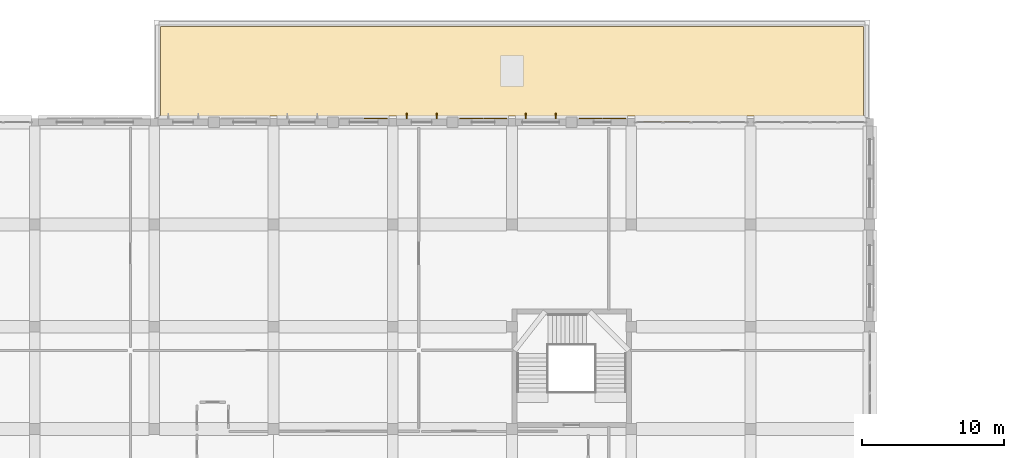
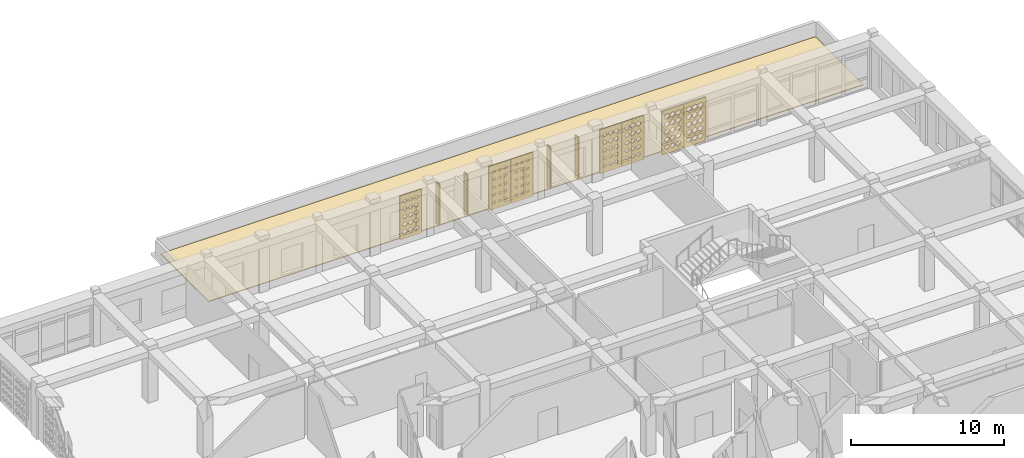
# One storey, part 103 of 111: 8 coverings, 4 shading devices.
"""IFC4 building model written with IfcOpenShell, lengths in metres."""

from ifc_helpers import new_model, si_unit, derived_unit, direction, frame, origin, origin_2d, place, context, subcontext, project, spatial, polyline, rectangle, outline, extrude, material, layer, layer_set, type_object, element, save


model = new_model("IFC4")

# Units and contexts
model_context = context("Model", 3, precision=1e-05, world=origin(), true_north=direction((0.0, 1.0)))
body_context = subcontext(model_context, "Body", "Model", "MODEL_VIEW")
ifc_project = project(units=[si_unit("LENGTHUNIT", "METRE"), si_unit("AREAUNIT", "SQUARE_METRE"), si_unit("VOLUMEUNIT", "CUBIC_METRE"), si_unit("PLANEANGLEUNIT", "RADIAN"), si_unit("MASSUNIT", "GRAM", prefix="KILO"), derived_unit("THERMALTRANSMITTANCEUNIT", [(si_unit("POWERUNIT", "WATT"), 1), (si_unit("LENGTHUNIT", "METRE"), -2), (si_unit("THERMODYNAMICTEMPERATUREUNIT", "KELVIN"), -1)])], contexts=[model_context])

# Site, building, storey
site_placement = place(None, origin())
site = spatial("IfcSite", under=ifc_project, at=site_placement, CompositionType="ELEMENT")
building_placement = place(site_placement, origin())
building = spatial("IfcBuilding", under=site, at=building_placement, Name="Veybourne Emporium", CompositionType="ELEMENT")
storey_placement = place(building_placement, frame((0.0, 0.0, 9.89990234375)))
storey = spatial("IfcBuildingStorey", under=building, at=storey_placement, Name="L02", CompositionType="ELEMENT", Elevation=9.89990234375)

# Covering
ifc_material_1 = material(Name="Single-Ply Warm Roof Membrane", Category="membrane")
ifc_layer_1 = layer(ifc_material_1, 0.06005859375)
ifc_layer_set_1 = layer_set([ifc_layer_1], Name="Single-Ply Warm Roof Membrane")
covering_type_1 = type_object("IfcCoveringType", Name="Roofing_RFG-01", PredefinedType="ROOFING", material=ifc_layer_set_1)
covering_1_placement = place(storey_placement, origin())
element("IfcCovering", 1, at=covering_1_placement, inside=storey, type_object=covering_type_1, Name="L02 warm-roof waterproofing membrane 2.1", PredefinedType="ROOFING", context=body_context, shape_type="SweptSolid", body=[
    extrude(outline(polyline([(100.35009765625, 114.75), (100.35009765625, 108.449951171875), (50.85009765625, 108.449951171875), (50.85009765625, 114.75), (100.35009765625, 114.75)])), origin(), (0.0, 0.0, 1.0), 0.06005859375),
])

# Shading devices
ifc_material_2 = material(Name="Patinated Architectural Bronze", Category="bronze")
shading_device_type = type_object("IfcShadingDeviceType", Name="SolarFin_FIN-01", PredefinedType="USERDEFINED", material=ifc_material_2)
for number, where, z_axis, x_axis, name in (
    (2, (68.179931640625, 108.428955078125, 0.125244140625), (0.0, 0.0, 1.0), (1.0, 0.0, 0.0), "L02 bronze brise-soleil fin FIN-01 (38A.1)"),
    (3, (70.294921875, 108.428955078125, 0.125244140625), (0.0, 0.0, 1.0), (1.0, 0.0, 0.0), "L02 bronze brise-soleil fin FIN-01 (38A.2)"),
    (4, (76.56005859375, 108.428955078125, 0.125244140625), (0.0, 0.0, 1.0), (1.0, 0.0, 0.0), "L02 bronze brise-soleil fin FIN-01 (42A.1)"),
    (5, (78.68994140625, 108.428955078125, 0.125244140625), (0.0, 0.0, 1.0), (1.0, 0.0, 0.0), "L02 bronze brise-soleil fin FIN-01 (42A.2)"),
):
    element("IfcShadingDevice", number, at=place(storey_placement, frame(where, z_axis=z_axis, x_axis=x_axis)), inside=storey, type_object=shading_device_type, Name=name, ObjectType="FIN", PredefinedType="USERDEFINED", context=body_context, shape_type="SweptSolid", body=[
        extrude(rectangle(XDim=0.06494140625, YDim=0.3798828125, at=origin_2d()), origin(), (0.0, 0.0, 1.0), 3.3798828125),
    ])

# Coverings
ifc_material_3 = material(Name="Warm-White Perforated Aluminium Screen Alloy", Category="aluminium")
ifc_layer_2 = layer(ifc_material_3, 0.06005859375)
ifc_layer_set_2 = layer_set([ifc_layer_2], Name="Warm-White Perforated Aluminium Screen Alloy")
covering_type_2 = type_object("IfcCoveringType", Name="WaveScreen_SCR-01", PredefinedType="CLADDING", material=ifc_layer_set_2)
covering_2_placement = place(storey_placement, frame((85.6923828125, 108.095458984375, 1.815185546875), z_axis=(0.0, -1.0, 0.0), x_axis=(1.0, 0.0, 0.0)))
element("IfcCovering", 6, at=covering_2_placement, inside=storey, type_object=covering_type_2, Name="L02 wave-perforated aluminium screen SCR-01 (45C.1)", PredefinedType="CLADDING", context=body_context, shape_type="SweptSolid", body=[
    extrude(outline(polyline([(-0.81982421875, -1.7548828125), (0.81982421875, -1.7548828125), (0.81982421875, 1.7548828125), (-0.81982421875, 1.7548828125), (-0.81982421875, -1.7548828125)]), holes=[polyline([(-0.433349609375, -1.03271484375), (-0.263427734375, -1.15771484375), (-0.263427734375, -1.29833984375), (-0.433349609375, -1.42333984375), (-0.603271484375, -1.29833984375), (-0.603271484375, -1.15771484375), (-0.433349609375, -1.03271484375)]), polyline([(-0.433349609375, -0.404541015625), (-0.251953125, -0.53857421875), (-0.251953125, -0.689453125), (-0.433349609375, -0.823486328125), (-0.61474609375, -0.689453125), (-0.61474609375, -0.53857421875), (-0.433349609375, -0.404541015625)]), polyline([(-0.433349609375, 0.22314453125), (-0.2470703125, 0.080322265625), (-0.2470703125, -0.080322265625), (-0.433349609375, -0.22314453125), (-0.61962890625, -0.080322265625), (-0.61962890625, 0.080322265625), (-0.433349609375, 0.22314453125)]), polyline([(-0.433349609375, 0.849609375), (-0.2470703125, 0.698974609375), (-0.2470703125, 0.529052734375), (-0.433349609375, 0.37841796875), (-0.61962890625, 0.529052734375), (-0.61962890625, 0.698974609375), (-0.433349609375, 0.849609375)]), polyline([(-0.433349609375, 1.47509765625), (-0.2470703125, 1.31689453125), (-0.2470703125, 1.138916015625), (-0.433349609375, 0.98095703125), (-0.61962890625, 1.138916015625), (-0.61962890625, 1.31689453125), (-0.433349609375, 1.47509765625)]), polyline([(0.0, -1.026123046875), (0.17529296875, -1.1552734375), (0.17529296875, -1.30078125), (0.0, -1.429931640625), (-0.17529296875, -1.30078125), (-0.17529296875, -1.1552734375), (0.0, -1.026123046875)]), polyline([(0.0, -0.398193359375), (0.186279296875, -0.536376953125), (0.186279296875, -0.691650390625), (0.0, -0.82958984375), (-0.186279296875, -0.691650390625), (-0.186279296875, -0.536376953125), (0.0, -0.398193359375)]), polyline([(0.0, 0.22900390625), (0.186279296875, 0.08251953125), (0.186279296875, -0.08251953125), (0.0, -0.22900390625), (-0.186279296875, -0.08251953125), (-0.186279296875, 0.08251953125), (0.0, 0.22900390625)]), polyline([(0.0, 0.85498046875), (0.186279296875, 0.70068359375), (0.186279296875, 0.527099609375), (0.0, 0.372802734375), (-0.186279296875, 0.527099609375), (-0.186279296875, 0.70068359375), (0.0, 0.85498046875)]), polyline([(0.0, 1.479736328125), (0.186279296875, 1.318603515625), (0.186279296875, 1.137451171875), (0.0, 0.976318359375), (-0.186279296875, 1.137451171875), (-0.186279296875, 1.318603515625), (0.0, 1.479736328125)]), polyline([(0.433349609375, -1.019775390625), (0.61376953125, -1.153076171875), (0.61376953125, -1.302978515625), (0.433349609375, -1.436279296875), (0.2529296875, -1.302978515625), (0.2529296875, -1.153076171875), (0.433349609375, -1.019775390625)]), polyline([(0.433349609375, -0.39208984375), (0.61962890625, -0.5341796875), (0.61962890625, -0.69384765625), (0.433349609375, -0.835693359375), (0.2470703125, -0.69384765625), (0.2470703125, -0.5341796875), (0.433349609375, -0.39208984375)]), polyline([(0.433349609375, 0.234619140625), (0.61962890625, 0.08447265625), (0.61962890625, -0.08447265625), (0.433349609375, -0.234619140625), (0.2470703125, -0.08447265625), (0.2470703125, 0.08447265625), (0.433349609375, 0.234619140625)]), polyline([(0.433349609375, 0.860107421875), (0.61962890625, 0.70263671875), (0.61962890625, 0.525390625), (0.433349609375, 0.367919921875), (0.2470703125, 0.525390625), (0.2470703125, 0.70263671875), (0.433349609375, 0.860107421875)]), polyline([(0.433349609375, 1.484130859375), (0.61962890625, 1.3203125), (0.61962890625, 1.1357421875), (0.433349609375, 0.971923828125), (0.2470703125, 1.1357421875), (0.2470703125, 1.3203125), (0.433349609375, 1.484130859375)])]), origin(), (0.0, 0.0, 1.0), 0.06005859375),
])
ifc_layer_3 = layer(ifc_material_3, 0.06005859375)
ifc_layer_set_3 = layer_set([ifc_layer_3], Name="Warm-White Perforated Aluminium Screen Alloy")
covering_type_3 = type_object("IfcCoveringType", Name="WaveScreen_SCR-02", PredefinedType="CLADDING", material=ifc_layer_set_3)
covering_3_placement = place(storey_placement, frame((72.735107421875, 108.298095703125, 1.815185546875), z_axis=(0.0, -1.0, 0.0), x_axis=(1.0, 0.0, 0.0)))
element("IfcCovering", 7, at=covering_3_placement, inside=storey, type_object=covering_type_3, Name="L02 wave-perforated aluminium screen SCR-02 (38B.1)", PredefinedType="CLADDING", context=body_context, shape_type="SweptSolid", body=[
    extrude(outline(polyline([(-0.81982421875, -1.7548828125), (0.81982421875, -1.7548828125), (0.81982421875, 1.7548828125), (-0.81982421875, 1.7548828125), (-0.81982421875, -1.7548828125)]), holes=[polyline([(-0.433349609375, -1.09912109375), (-0.31787109375, -1.181640625), (-0.31787109375, -1.2744140625), (-0.433349609375, -1.356689453125), (-0.548583984375, -1.2744140625), (-0.548583984375, -1.181640625), (-0.433349609375, -1.09912109375)]), polyline([(-0.433349609375, -0.4931640625), (-0.324462890625, -0.570556640625), (-0.324462890625, -0.657470703125), (-0.433349609375, -0.73486328125), (-0.542236328125, -0.657470703125), (-0.542236328125, -0.570556640625), (-0.433349609375, -0.4931640625)]), polyline([(-0.433349609375, 0.114990234375), (-0.329345703125, 0.04150390625), (-0.329345703125, -0.04150390625), (-0.433349609375, -0.114990234375), (-0.537353515625, -0.04150390625), (-0.537353515625, 0.04150390625), (-0.433349609375, 0.114990234375)]), polyline([(-0.433349609375, 0.72509765625), (-0.332275390625, 0.654052734375), (-0.332275390625, 0.573974609375), (-0.433349609375, 0.502685546875), (-0.5341796875, 0.573974609375), (-0.5341796875, 0.654052734375), (-0.433349609375, 0.72509765625)]), polyline([(-0.433349609375, 1.337890625), (-0.333251953125, 1.267578125), (-0.333251953125, 1.1884765625), (-0.433349609375, 1.117919921875), (-0.533203125, 1.1884765625), (-0.533203125, 1.267578125), (-0.433349609375, 1.337890625)]), polyline([(0.0, -1.10302734375), (0.1123046875, -1.18310546875), (0.1123046875, -1.27294921875), (0.0, -1.352783203125), (-0.1123046875, -1.27294921875), (-0.1123046875, -1.18310546875), (0.0, -1.10302734375)]), polyline([(0.0, -0.49609375), (0.1064453125, -0.571533203125), (0.1064453125, -0.656494140625), (0.0, -0.731689453125), (-0.1064453125, -0.656494140625), (-0.1064453125, -0.571533203125), (0.0, -0.49609375)]), polyline([(0.0, 0.11279296875), (0.102294921875, 0.040771484375), (0.102294921875, -0.040771484375), (0.0, -0.11279296875), (-0.102294921875, -0.040771484375), (-0.102294921875, 0.040771484375), (0.0, 0.11279296875)]), polyline([(0.0, 0.724365234375), (0.100341796875, 0.65380859375), (0.100341796875, 0.57421875), (0.0, 0.503662109375), (-0.100341796875, 0.57421875), (-0.100341796875, 0.65380859375), (0.0, 0.724365234375)]), polyline([(0.0, 1.338134765625), (0.10009765625, 1.267578125), (0.10009765625, 1.188232421875), (0.0, 1.117919921875), (-0.10009765625, 1.188232421875), (-0.10009765625, 1.267578125), (0.0, 1.338134765625)]), polyline([(0.433349609375, -1.1064453125), (0.542724609375, -1.184326171875), (0.542724609375, -1.271728515625), (0.433349609375, -1.349609375), (0.323974609375, -1.271728515625), (0.323974609375, -1.184326171875), (0.433349609375, -1.1064453125)]), polyline([(0.433349609375, -0.498779296875), (0.53759765625, -0.572509765625), (0.53759765625, -0.655517578125), (0.433349609375, -0.729248046875), (0.3291015625, -0.655517578125), (0.3291015625, -0.572509765625), (0.433349609375, -0.498779296875)]), polyline([(0.433349609375, 0.111572265625), (0.534423828125, 0.0400390625), (0.534423828125, -0.0400390625), (0.433349609375, -0.111572265625), (0.33203125, -0.0400390625), (0.33203125, 0.0400390625), (0.433349609375, 0.111572265625)]), polyline([(0.433349609375, 0.72412109375), (0.533203125, 0.653564453125), (0.533203125, 0.574462890625), (0.433349609375, 0.50390625), (0.333251953125, 0.574462890625), (0.333251953125, 0.653564453125), (0.433349609375, 0.72412109375)]), polyline([(0.433349609375, 1.339111328125), (0.5341796875, 1.26806640625), (0.5341796875, 1.18798828125), (0.433349609375, 1.116943359375), (0.33251953125, 1.18798828125), (0.33251953125, 1.26806640625), (0.433349609375, 1.339111328125)])]), origin(), (0.0, 0.0, 1.0), 0.06005859375),
])
covering_4_placement = place(storey_placement, frame((81.12255859375, 108.298095703125, 1.815185546875), z_axis=(0.0, -1.0, 0.0), x_axis=(1.0, 0.0, 0.0)))
element("IfcCovering", 8, at=covering_4_placement, inside=storey, type_object=covering_type_3, Name="L02 wave-perforated aluminium screen SCR-02 (42B.1)", PredefinedType="CLADDING", context=body_context, shape_type="SweptSolid", body=[
    extrude(outline(polyline([(-0.81982421875, -1.7548828125), (0.81982421875, -1.7548828125), (0.81982421875, 1.7548828125), (-0.81982421875, 1.7548828125), (-0.81982421875, -1.7548828125)]), holes=[polyline([(-0.433349609375, -1.091796875), (-0.31201171875, -1.178955078125), (-0.31201171875, -1.277099609375), (-0.433349609375, -1.3642578125), (-0.5546875, -1.277099609375), (-0.5546875, -1.178955078125), (-0.433349609375, -1.091796875)]), polyline([(-0.433349609375, -0.466552734375), (-0.302734375, -0.560791015625), (-0.302734375, -0.6669921875), (-0.433349609375, -0.761474609375), (-0.56396484375, -0.6669921875), (-0.56396484375, -0.560791015625), (-0.433349609375, -0.466552734375)]), polyline([(-0.433349609375, 0.159912109375), (-0.29248046875, 0.0576171875), (-0.29248046875, -0.0576171875), (-0.433349609375, -0.159912109375), (-0.57421875, -0.0576171875), (-0.57421875, 0.0576171875), (-0.433349609375, 0.159912109375)]), polyline([(-0.433349609375, 0.787353515625), (-0.281494140625, 0.676513671875), (-0.281494140625, 0.551513671875), (-0.433349609375, 0.440673828125), (-0.585205078125, 0.551513671875), (-0.585205078125, 0.676513671875), (-0.433349609375, 0.787353515625)]), polyline([(-0.433349609375, 1.415283203125), (-0.27001953125, 1.29541015625), (-0.27001953125, 1.16064453125), (-0.433349609375, 1.040771484375), (-0.5966796875, 1.16064453125), (-0.5966796875, 1.29541015625), (-0.433349609375, 1.415283203125)]), polyline([(0.0, -1.0869140625), (0.12548828125, -1.17724609375), (0.12548828125, -1.27880859375), (0.0, -1.369140625), (-0.12548828125, -1.27880859375), (-0.12548828125, -1.17724609375), (0.0, -1.0869140625)]), polyline([(0.0, -0.461181640625), (0.135009765625, -0.55908203125), (0.135009765625, -0.6689453125), (0.0, -0.766845703125), (-0.135009765625, -0.6689453125), (-0.135009765625, -0.55908203125), (0.0, -0.461181640625)]), polyline([(0.0, 0.166015625), (0.145751953125, 0.059814453125), (0.145751953125, -0.059814453125), (0.0, -0.166015625), (-0.145751953125, -0.059814453125), (-0.145751953125, 0.059814453125), (0.0, 0.166015625)]), polyline([(0.0, 0.793701171875), (0.156982421875, 0.6787109375), (0.156982421875, 0.54931640625), (0.0, 0.434326171875), (-0.156982421875, 0.54931640625), (-0.156982421875, 0.6787109375), (0.0, 0.793701171875)]), polyline([(0.0, 1.421875), (0.16845703125, 1.2978515625), (0.16845703125, 1.158203125), (0.0, 1.0341796875), (-0.16845703125, 1.158203125), (-0.16845703125, 1.2978515625), (0.0, 1.421875)]), polyline([(0.433349609375, -1.081787109375), (0.56298828125, -1.17529296875), (0.56298828125, -1.28076171875), (0.433349609375, -1.374267578125), (0.3037109375, -1.28076171875), (0.3037109375, -1.17529296875), (0.433349609375, -1.081787109375)]), polyline([(0.433349609375, -0.455322265625), (0.5732421875, -0.556884765625), (0.5732421875, -0.671142578125), (0.433349609375, -0.772705078125), (0.29345703125, -0.671142578125), (0.29345703125, -0.556884765625), (0.433349609375, -0.455322265625)]), polyline([(0.433349609375, 0.172119140625), (0.583984375, 0.06201171875), (0.583984375, -0.06201171875), (0.433349609375, -0.172119140625), (0.28271484375, -0.06201171875), (0.28271484375, 0.06201171875), (0.433349609375, 0.172119140625)]), polyline([(0.433349609375, 0.800048828125), (0.595458984375, 0.680908203125), (0.595458984375, 0.547119140625), (0.433349609375, 0.427978515625), (0.27099609375, 0.547119140625), (0.27099609375, 0.680908203125), (0.433349609375, 0.800048828125)]), polyline([(0.433349609375, 1.42822265625), (0.607177734375, 1.300048828125), (0.607177734375, 1.156005859375), (0.433349609375, 1.02783203125), (0.259521484375, 1.156005859375), (0.259521484375, 1.300048828125), (0.433349609375, 1.42822265625)])]), origin(), (0.0, 0.0, 1.0), 0.06005859375),
])
covering_5_placement = place(storey_placement, frame((87.37255859375, 108.095458984375, 1.815185546875), z_axis=(0.0, -1.0, 0.0), x_axis=(1.0, 0.0, 0.0)))
element("IfcCovering", 9, at=covering_5_placement, inside=storey, type_object=covering_type_3, Name="L02 wave-perforated aluminium screen SCR-02 (45C.2)", PredefinedType="CLADDING", context=body_context, shape_type="SweptSolid", body=[
    extrude(outline(polyline([(-0.81982421875, -1.7548828125), (0.81982421875, -1.7548828125), (0.81982421875, 1.7548828125), (-0.81982421875, 1.7548828125), (-0.81982421875, -1.7548828125)]), holes=[polyline([(-0.433349609375, -1.008056640625), (-0.2470703125, -1.148681640625), (-0.2470703125, -1.30712890625), (-0.433349609375, -1.447998046875), (-0.61962890625, -1.30712890625), (-0.61962890625, -1.148681640625), (-0.433349609375, -1.008056640625)]), polyline([(-0.433349609375, -0.381103515625), (-0.2470703125, -0.5302734375), (-0.2470703125, -0.69775390625), (-0.433349609375, -0.8466796875), (-0.61962890625, -0.69775390625), (-0.61962890625, -0.5302734375), (-0.433349609375, -0.381103515625)]), polyline([(-0.433349609375, 0.244384765625), (-0.2470703125, 0.087890625), (-0.2470703125, -0.087890625), (-0.433349609375, -0.244384765625), (-0.61962890625, -0.087890625), (-0.61962890625, 0.087890625), (-0.433349609375, 0.244384765625)]), polyline([(-0.433349609375, 0.86865234375), (-0.2470703125, 0.705810546875), (-0.2470703125, 0.522216796875), (-0.433349609375, 0.359375), (-0.61962890625, 0.522216796875), (-0.61962890625, 0.705810546875), (-0.433349609375, 0.86865234375)]), polyline([(-0.433349609375, 1.490966796875), (-0.2470703125, 1.32275390625), (-0.2470703125, 1.13330078125), (-0.433349609375, 0.965087890625), (-0.61962890625, 1.13330078125), (-0.61962890625, 1.32275390625), (-0.433349609375, 1.490966796875)]), polyline([(0.0, -1.002197265625), (0.186279296875, -1.146728515625), (0.186279296875, -1.309326171875), (0.0, -1.453857421875), (-0.186279296875, -1.309326171875), (-0.186279296875, -1.146728515625), (0.0, -1.002197265625)]), polyline([(0.0, -0.375732421875), (0.186279296875, -0.5283203125), (0.186279296875, -0.69970703125), (0.0, -0.852294921875), (-0.186279296875, -0.69970703125), (-0.186279296875, -0.5283203125), (0.0, -0.375732421875)]), polyline([(0.0, 0.249267578125), (0.186279296875, 0.08984375), (0.186279296875, -0.08984375), (0.0, -0.249267578125), (-0.186279296875, -0.08984375), (-0.186279296875, 0.08984375), (0.0, 0.249267578125)]), polyline([(0.0, 0.872802734375), (0.186279296875, 0.70703125), (0.186279296875, 0.52099609375), (0.0, 0.355224609375), (-0.186279296875, 0.52099609375), (-0.186279296875, 0.70703125), (0.0, 0.872802734375)]), polyline([(0.0, 1.491943359375), (0.186279296875, 1.322998046875), (0.186279296875, 1.133056640625), (0.0, 0.964111328125), (-0.186279296875, 1.133056640625), (-0.186279296875, 1.322998046875), (0.0, 1.491943359375)]), polyline([(0.433349609375, -0.996337890625), (0.61962890625, -1.14453125), (0.61962890625, -1.311279296875), (0.433349609375, -1.459716796875), (0.2470703125, -1.311279296875), (0.2470703125, -1.14453125), (0.433349609375, -0.996337890625)]), polyline([(0.433349609375, -0.37060546875), (0.61962890625, -0.5263671875), (0.61962890625, -0.70166015625), (0.433349609375, -0.857421875), (0.2470703125, -0.70166015625), (0.2470703125, -0.5263671875), (0.433349609375, -0.37060546875)]), polyline([(0.433349609375, 0.25390625), (0.61962890625, 0.09130859375), (0.61962890625, -0.09130859375), (0.433349609375, -0.25390625), (0.2470703125, -0.09130859375), (0.2470703125, 0.09130859375), (0.433349609375, 0.25390625)]), polyline([(0.433349609375, 0.87646484375), (0.61962890625, 0.70849609375), (0.61962890625, 0.51953125), (0.433349609375, 0.3515625), (0.2470703125, 0.51953125), (0.2470703125, 0.70849609375), (0.433349609375, 0.87646484375)]), polyline([(0.433349609375, 1.491943359375), (0.61962890625, 1.322998046875), (0.61962890625, 1.133056640625), (0.433349609375, 0.964111328125), (0.2470703125, 1.133056640625), (0.2470703125, 1.322998046875), (0.433349609375, 1.491943359375)])]), origin(), (0.0, 0.0, 1.0), 0.06005859375),
])
ifc_layer_4 = layer(ifc_material_3, 0.06005859375)
ifc_layer_set_4 = layer_set([ifc_layer_4], Name="Warm-White Perforated Aluminium Screen Alloy")
covering_type_4 = type_object("IfcCoveringType", Name="WaveScreen_SCR-03", PredefinedType="CLADDING", material=ifc_layer_set_4)
covering_6_placement = place(storey_placement, frame((66.00244140625, 108.298095703125, 1.815185546875), z_axis=(0.0, -1.0, 0.0), x_axis=(1.0, 0.0, 0.0)))
element("IfcCovering", 10, at=covering_6_placement, inside=storey, type_object=covering_type_4, Name="L02 wave-perforated aluminium screen SCR-03 (34B.2)", PredefinedType="CLADDING", context=body_context, shape_type="SweptSolid", body=[
    extrude(outline(polyline([(-0.81982421875, -1.7548828125), (0.81982421875, -1.7548828125), (0.81982421875, 1.7548828125), (-0.81982421875, 1.7548828125), (-0.81982421875, -1.7548828125)]), holes=[polyline([(-0.433349609375, -1.0087890625), (-0.2470703125, -1.149169921875), (-0.2470703125, -1.306884765625), (-0.433349609375, -1.447265625), (-0.61962890625, -1.306884765625), (-0.61962890625, -1.149169921875), (-0.433349609375, -1.0087890625)]), polyline([(-0.433349609375, -0.408447265625), (-0.255126953125, -0.5400390625), (-0.255126953125, -0.68798828125), (-0.433349609375, -0.819580078125), (-0.611572265625, -0.68798828125), (-0.611572265625, -0.5400390625), (-0.433349609375, -0.408447265625)]), polyline([(-0.433349609375, 0.19140625), (-0.2666015625, 0.06884765625), (-0.2666015625, -0.06884765625), (-0.433349609375, -0.19140625), (-0.599853515625, -0.06884765625), (-0.599853515625, 0.06884765625), (-0.433349609375, 0.19140625)]), polyline([(-0.433349609375, 0.791259765625), (-0.2783203125, 0.677734375), (-0.2783203125, 0.55029296875), (-0.433349609375, 0.436767578125), (-0.58837890625, 0.55029296875), (-0.58837890625, 0.677734375), (-0.433349609375, 0.791259765625)]), polyline([(-0.433349609375, 1.3916015625), (-0.289306640625, 1.286865234375), (-0.289306640625, 1.169189453125), (-0.433349609375, 1.064208984375), (-0.5771484375, 1.169189453125), (-0.5771484375, 1.286865234375), (-0.433349609375, 1.3916015625)]), polyline([(0.0, -1.014892578125), (0.184326171875, -1.1513671875), (0.184326171875, -1.3046875), (0.0, -1.441162109375), (-0.184326171875, -1.3046875), (-0.184326171875, -1.1513671875), (0.0, -1.014892578125)]), polyline([(0.0, -0.414794921875), (0.1728515625, -0.542236328125), (0.1728515625, -0.685791015625), (0.0, -0.81298828125), (-0.1728515625, -0.685791015625), (-0.1728515625, -0.542236328125), (0.0, -0.414794921875)]), polyline([(0.0, 0.18505859375), (0.161376953125, 0.066650390625), (0.161376953125, -0.066650390625), (0.0, -0.18505859375), (-0.161376953125, -0.066650390625), (-0.161376953125, 0.066650390625), (0.0, 0.18505859375)]), polyline([(0.0, 0.784912109375), (0.14990234375, 0.675537109375), (0.14990234375, 0.552490234375), (0.0, 0.443115234375), (-0.14990234375, 0.552490234375), (-0.14990234375, 0.675537109375), (0.0, 0.784912109375)]), polyline([(0.0, 1.3857421875), (0.138916015625, 1.284912109375), (0.138916015625, 1.171142578125), (0.0, 1.0703125), (-0.138916015625, 1.171142578125), (-0.138916015625, 1.284912109375), (0.0, 1.3857421875)]), polyline([(0.433349609375, -1.021240234375), (0.612548828125, -1.153564453125), (0.612548828125, -1.302490234375), (0.433349609375, -1.434814453125), (0.254150390625, -1.302490234375), (0.254150390625, -1.153564453125), (0.433349609375, -1.021240234375)]), polyline([(0.433349609375, -0.42138671875), (0.60107421875, -0.544677734375), (0.60107421875, -0.683349609375), (0.433349609375, -0.806640625), (0.265625, -0.683349609375), (0.265625, -0.544677734375), (0.433349609375, -0.42138671875)]), polyline([(0.433349609375, 0.1787109375), (0.589599609375, 0.064208984375), (0.589599609375, -0.064208984375), (0.433349609375, -0.1787109375), (0.277099609375, -0.064208984375), (0.277099609375, 0.064208984375), (0.433349609375, 0.1787109375)]), polyline([(0.433349609375, 0.77880859375), (0.578125, 0.67333984375), (0.578125, 0.5546875), (0.433349609375, 0.44921875), (0.288330078125, 0.5546875), (0.288330078125, 0.67333984375), (0.433349609375, 0.77880859375)]), polyline([(0.433349609375, 1.3798828125), (0.567626953125, 1.28271484375), (0.567626953125, 1.17333984375), (0.433349609375, 1.075927734375), (0.299072265625, 1.17333984375), (0.299072265625, 1.28271484375), (0.433349609375, 1.3798828125)])]), origin(), (0.0, 0.0, 1.0), 0.06005859375),
])
covering_7_placement = place(storey_placement, frame((74.4150390625, 108.298095703125, 1.815185546875), z_axis=(0.0, -1.0, 0.0), x_axis=(1.0, 0.0, 0.0)))
element("IfcCovering", 11, at=covering_7_placement, inside=storey, type_object=covering_type_4, Name="L02 wave-perforated aluminium screen SCR-03 (38B.2)", PredefinedType="CLADDING", context=body_context, shape_type="SweptSolid", body=[
    extrude(outline(polyline([(-0.81982421875, -1.7548828125), (0.81982421875, -1.7548828125), (0.81982421875, 1.7548828125), (-0.81982421875, 1.7548828125), (-0.81982421875, -1.7548828125)]), holes=[polyline([(-0.433349609375, -1.11181640625), (-0.328369140625, -1.186279296875), (-0.328369140625, -1.269775390625), (-0.433349609375, -1.343994140625), (-0.538330078125, -1.269775390625), (-0.538330078125, -1.186279296875), (-0.433349609375, -1.11181640625)]), polyline([(-0.433349609375, -0.502197265625), (-0.331787109375, -0.57373046875), (-0.331787109375, -0.654296875), (-0.433349609375, -0.725830078125), (-0.534912109375, -0.654296875), (-0.534912109375, -0.57373046875), (-0.433349609375, -0.502197265625)]), polyline([(-0.433349609375, 0.110107421875), (-0.333251953125, 0.03955078125), (-0.333251953125, -0.03955078125), (-0.433349609375, -0.110107421875), (-0.533447265625, -0.03955078125), (-0.533447265625, 0.03955078125), (-0.433349609375, 0.110107421875)]), polyline([(-0.433349609375, 0.724609375), (-0.332763671875, 0.65380859375), (-0.332763671875, 0.57421875), (-0.433349609375, 0.50341796875), (-0.533935546875, 0.57421875), (-0.533935546875, 0.65380859375), (-0.433349609375, 0.724609375)]), polyline([(-0.433349609375, 1.341796875), (-0.330322265625, 1.268798828125), (-0.330322265625, 1.18701171875), (-0.433349609375, 1.1142578125), (-0.536376953125, 1.18701171875), (-0.536376953125, 1.268798828125), (-0.433349609375, 1.341796875)]), polyline([(0.0, -1.114013671875), (0.103271484375, -1.18701171875), (0.103271484375, -1.26904296875), (0.0, -1.341796875), (-0.103271484375, -1.26904296875), (-0.103271484375, -1.18701171875), (0.0, -1.114013671875)]), polyline([(0.0, -0.503173828125), (0.1005859375, -0.57421875), (0.1005859375, -0.65380859375), (0.0, -0.724853515625), (-0.1005859375, -0.65380859375), (-0.1005859375, -0.57421875), (0.0, -0.503173828125)]), polyline([(0.0, 0.110107421875), (0.10009765625, 0.03955078125), (0.10009765625, -0.03955078125), (0.0, -0.110107421875), (-0.10009765625, -0.03955078125), (-0.10009765625, 0.03955078125), (0.0, 0.110107421875)]), polyline([(0.0, 0.725830078125), (0.101318359375, 0.654296875), (0.101318359375, 0.57373046875), (0.0, 0.502197265625), (-0.101318359375, 0.57373046875), (-0.101318359375, 0.654296875), (0.0, 0.725830078125)]), polyline([(0.0, 1.34375), (0.104736328125, 1.269775390625), (0.104736328125, 1.186279296875), (0.0, 1.1123046875), (-0.104736328125, 1.186279296875), (-0.104736328125, 1.269775390625), (0.0, 1.34375)]), polyline([(0.433349609375, -1.11572265625), (0.53515625, -1.1875), (0.53515625, -1.268310546875), (0.433349609375, -1.340087890625), (0.33154296875, -1.268310546875), (0.33154296875, -1.1875), (0.433349609375, -1.11572265625)]), polyline([(0.433349609375, -0.50390625), (0.533447265625, -0.57421875), (0.533447265625, -0.65380859375), (0.433349609375, -0.72412109375), (0.333251953125, -0.65380859375), (0.333251953125, -0.57421875), (0.433349609375, -0.50390625)]), polyline([(0.433349609375, 0.110595703125), (0.53369140625, 0.039794921875), (0.53369140625, -0.039794921875), (0.433349609375, -0.110595703125), (0.3330078125, -0.039794921875), (0.3330078125, 0.039794921875), (0.433349609375, 0.110595703125)]), polyline([(0.433349609375, 0.727294921875), (0.5361328125, 0.65478515625), (0.5361328125, 0.5732421875), (0.433349609375, 0.500732421875), (0.33056640625, 0.5732421875), (0.33056640625, 0.65478515625), (0.433349609375, 0.727294921875)]), polyline([(0.433349609375, 1.346435546875), (0.540283203125, 1.2705078125), (0.540283203125, 1.185302734375), (0.433349609375, 1.109619140625), (0.326416015625, 1.185302734375), (0.326416015625, 1.2705078125), (0.433349609375, 1.346435546875)])]), origin(), (0.0, 0.0, 1.0), 0.06005859375),
])
covering_8_placement = place(storey_placement, frame((82.802490234375, 108.298095703125, 1.815185546875), z_axis=(0.0, -1.0, 0.0), x_axis=(1.0, 0.0, 0.0)))
element("IfcCovering", 12, at=covering_8_placement, inside=storey, type_object=covering_type_4, Name="L02 wave-perforated aluminium screen SCR-03 (42B.2)", PredefinedType="CLADDING", context=body_context, shape_type="SweptSolid", body=[
    extrude(outline(polyline([(-0.81982421875, -1.7548828125), (0.81982421875, -1.7548828125), (0.81982421875, 1.7548828125), (-0.81982421875, 1.7548828125), (-0.81982421875, -1.7548828125)]), holes=[polyline([(-0.433349609375, -1.0712890625), (-0.295166015625, -1.171630859375), (-0.295166015625, -1.284423828125), (-0.433349609375, -1.384765625), (-0.571533203125, -1.284423828125), (-0.571533203125, -1.171630859375), (-0.433349609375, -1.0712890625)]), polyline([(-0.433349609375, -0.444091796875), (-0.2841796875, -0.552734375), (-0.2841796875, -0.67529296875), (-0.433349609375, -0.783935546875), (-0.58251953125, -0.67529296875), (-0.58251953125, -0.552734375), (-0.433349609375, -0.444091796875)]), polyline([(-0.433349609375, 0.183837890625), (-0.27294921875, 0.066162109375), (-0.27294921875, -0.066162109375), (-0.433349609375, -0.183837890625), (-0.59375, -0.066162109375), (-0.59375, 0.066162109375), (-0.433349609375, 0.183837890625)]), polyline([(-0.433349609375, 0.81201171875), (-0.26123046875, 0.685302734375), (-0.26123046875, 0.542724609375), (-0.433349609375, 0.416015625), (-0.60546875, 0.542724609375), (-0.60546875, 0.685302734375), (-0.433349609375, 0.81201171875)]), polyline([(-0.433349609375, 1.440185546875), (-0.249755859375, 1.30419921875), (-0.249755859375, 1.151611328125), (-0.433349609375, 1.015869140625), (-0.616943359375, 1.151611328125), (-0.616943359375, 1.30419921875), (-0.433349609375, 1.440185546875)]), polyline([(0.0, -1.065185546875), (0.14306640625, -1.16943359375), (0.14306640625, -1.28662109375), (0.0, -1.390625), (-0.14306640625, -1.28662109375), (-0.14306640625, -1.16943359375), (0.0, -1.065185546875)]), polyline([(0.0, -0.437744140625), (0.154296875, -0.550537109375), (0.154296875, -0.677490234375), (0.0, -0.790283203125), (-0.154296875, -0.677490234375), (-0.154296875, -0.550537109375), (0.0, -0.437744140625)]), polyline([(0.0, 0.190185546875), (0.165771484375, 0.068603515625), (0.165771484375, -0.068603515625), (0.0, -0.190185546875), (-0.165771484375, -0.068603515625), (-0.165771484375, 0.068603515625), (0.0, 0.190185546875)]), polyline([(0.0, 0.818603515625), (0.17724609375, 0.6875), (0.17724609375, 0.540283203125), (0.0, 0.409423828125), (-0.17724609375, 0.540283203125), (-0.17724609375, 0.6875), (0.0, 0.818603515625)]), polyline([(0.0, 1.4462890625), (0.186279296875, 1.306640625), (0.186279296875, 1.1494140625), (0.0, 1.009765625), (-0.186279296875, 1.1494140625), (-0.186279296875, 1.306640625), (0.0, 1.4462890625)]), polyline([(0.433349609375, -1.059326171875), (0.581298828125, -1.167236328125), (0.581298828125, -1.288818359375), (0.433349609375, -1.396728515625), (0.285400390625, -1.288818359375), (0.285400390625, -1.167236328125), (0.433349609375, -1.059326171875)]), polyline([(0.433349609375, -0.431396484375), (0.5927734375, -0.54833984375), (0.5927734375, -0.6796875), (0.433349609375, -0.796630859375), (0.27392578125, -0.6796875), (0.27392578125, -0.54833984375), (0.433349609375, -0.431396484375)]), polyline([(0.433349609375, 0.19677734375), (0.604248046875, 0.07080078125), (0.604248046875, -0.07080078125), (0.433349609375, -0.19677734375), (0.26220703125, -0.07080078125), (0.26220703125, 0.07080078125), (0.433349609375, 0.19677734375)]), polyline([(0.433349609375, 0.82470703125), (0.61572265625, 0.68994140625), (0.61572265625, 0.5380859375), (0.433349609375, 0.4033203125), (0.2509765625, 0.5380859375), (0.2509765625, 0.68994140625), (0.433349609375, 0.82470703125)]), polyline([(0.433349609375, 1.452392578125), (0.61962890625, 1.30859375), (0.61962890625, 1.147216796875), (0.433349609375, 1.003662109375), (0.2470703125, 1.147216796875), (0.2470703125, 1.30859375), (0.433349609375, 1.452392578125)])]), origin(), (0.0, 0.0, 1.0), 0.06005859375),
])

save(model, "model.ifc")
